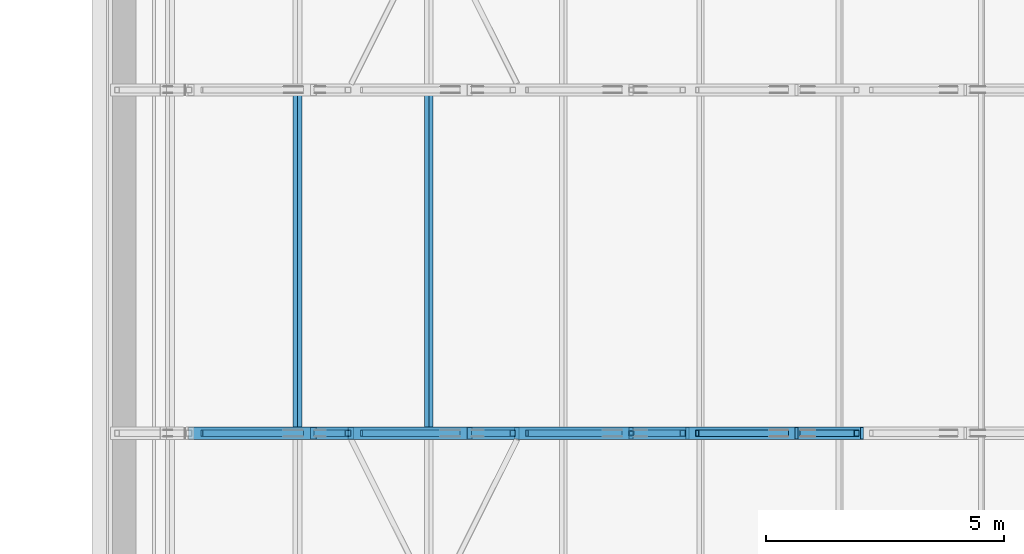
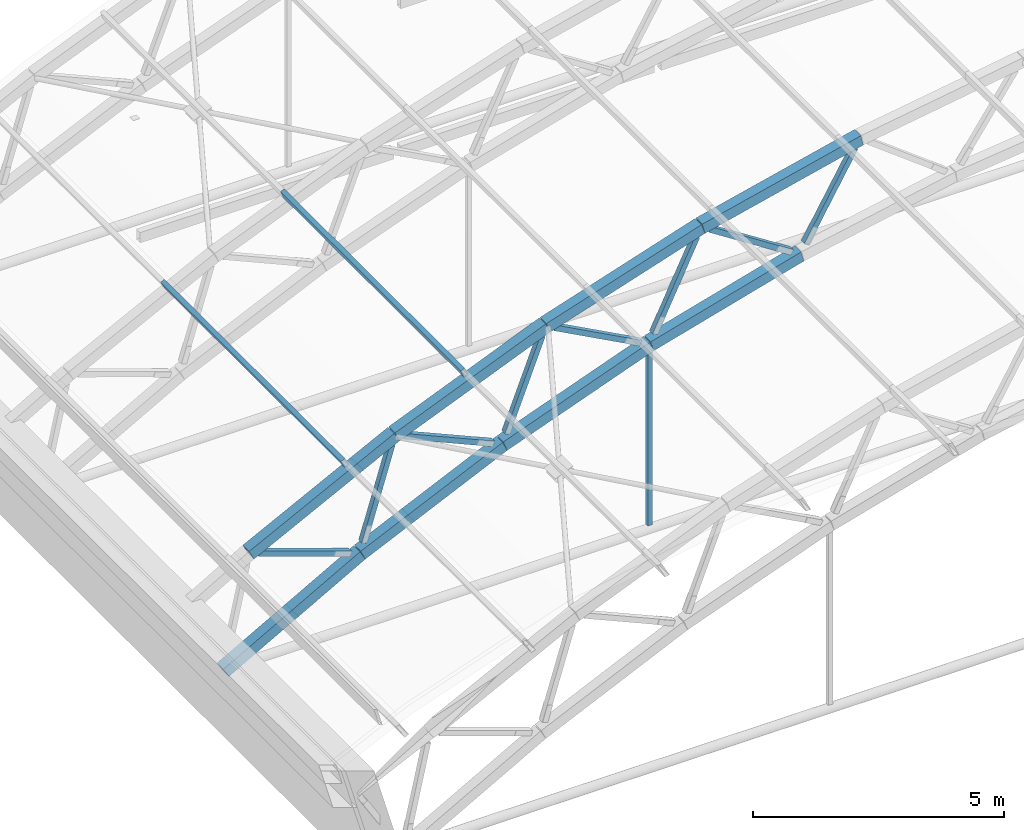
# One storey, part 42 of 127: 19 members.
"""IFC4 building model written with IfcOpenShell, lengths in metres."""

import ifcopenshell
import ifcopenshell.guid

model = None  # the IFC model being written
_history = None  # IfcOwnerHistory: only IFC2X3 demands one
_inside = {}  # id of a spatial element -> (the spatial element, [elements in it])
_under = {}  # id of a project, library or spatial element -> (it, [spatial elements below it])
_declared = {}  # id of a project -> (the project, [libraries it declares])
_typed = {}  # id of a type object -> (the type object, [elements of that type])
_made_of = {}  # id of a material, layer set ... -> (it, [elements and type objects made of it])


def new_model(schema):
    """Start an empty IFC model of exactly this schema.

    Asked for "IFC4X3", IfcOpenShell would pick the latest addendum, in which some entities
    have other attributes; the version numbers below select the first issue.
    IFC2X3 requires an IfcOwnerHistory on every rooted entity: one is made here for all.
    """
    global model, _history
    if schema == "IFC4X3":
        model = ifcopenshell.file(schema_version=(4, 3, 0, 0))
    else:
        model = ifcopenshell.file(schema=schema)
    _inside.clear()
    _under.clear()
    _declared.clear()
    _typed.clear()
    _made_of.clear()
    _history = None
    if model.schema == "IFC2X3":
        org = make("IfcOrganization", Name="unknown")
        user = make(
            "IfcPersonAndOrganization",
            ThePerson=make("IfcPerson", FamilyName="unknown"),
            TheOrganization=org,
        )
        app = make(
            "IfcApplication",
            ApplicationDeveloper=org,
            Version="unknown",
            ApplicationFullName="unknown",
            ApplicationIdentifier="unknown",
        )
        _history = make(
            "IfcOwnerHistory",
            OwningUser=user,
            OwningApplication=app,
            ChangeAction="ADDED",
            CreationDate=0,
        )
    return model


def make(cls, **values):
    """One entity of the class cls with the attributes given. An attribute that is None is left unset."""
    return model.create_entity(
        cls, **{name: value for name, value in values.items() if value is not None}
    )


def rooted(cls, **values):
    """An entity with a GlobalId (a new one), such as an element, a storey or a relation."""
    return make(cls, GlobalId=ifcopenshell.guid.new(), OwnerHistory=_history, **values)


def si_unit(unit_type, name, prefix=None):
    """IfcSIUnit, for example si_unit("LENGTHUNIT", "METRE", prefix="MILLI")."""
    return make("IfcSIUnit", UnitType=unit_type, Prefix=prefix, Name=name)


def assignment(units):
    """IfcUnitAssignment: the units of a project."""
    return None if units is None else make("IfcUnitAssignment", Units=units)


def point(xyz):
    """IfcCartesianPoint."""
    return None if xyz is None else make("IfcCartesianPoint", Coordinates=xyz)


def direction(xyz):
    """IfcDirection."""
    return None if xyz is None else make("IfcDirection", DirectionRatios=xyz)


def frame(location, z_axis=None, x_axis=None):
    """IfcAxis2Placement3D, a coordinate frame: its origin and axes. An axis left out is left unset."""
    return make(
        "IfcAxis2Placement3D",
        Location=point(location),
        Axis=direction(z_axis),
        RefDirection=direction(x_axis),
    )


def frame_2d(location, x_axis=None):
    """IfcAxis2Placement2D, a coordinate frame in the plane: its origin and x axis."""
    return make(
        "IfcAxis2Placement2D", Location=point(location), RefDirection=direction(x_axis)
    )


def origin():
    """The frame at (0, 0, 0) with its axes left unset."""
    return frame((0.0, 0.0, 0.0))


def origin_2d():
    """The frame at (0, 0) in the plane with its x axis left unset."""
    return frame_2d((0.0, 0.0))


def place(relative_to, where):
    """IfcLocalPlacement: puts the frame where relative to a parent placement (None: the world)."""
    return make(
        "IfcLocalPlacement", PlacementRelTo=relative_to, RelativePlacement=where
    )


def context(
    kind, dimensions, precision=None, world=None, true_north=None, identifier=None
):
    """IfcGeometricRepresentationContext, for example the 3D "Model" context."""
    return make(
        "IfcGeometricRepresentationContext",
        ContextIdentifier=identifier,
        ContextType=kind,
        CoordinateSpaceDimension=dimensions,
        Precision=precision,
        WorldCoordinateSystem=world,
        TrueNorth=true_north,
    )


def subcontext(parent, identifier, kind, view, scale=None):
    """IfcGeometricRepresentationSubContext, for example "Body" below "Model"."""
    return make(
        "IfcGeometricRepresentationSubContext",
        ContextIdentifier=identifier,
        ContextType=kind,
        ParentContext=parent,
        TargetScale=scale,
        TargetView=view,
    )


def project(units=None, contexts=None):
    """IfcProject with its units and contexts."""
    return rooted(
        "IfcProject",
        Name="project",
        RepresentationContexts=contexts,
        UnitsInContext=assignment(units),
    )


def spatial(cls, under=None, at=None, **own):
    """A site, building, storey or space (cls), placed at a placement, below another one or the project."""
    s = rooted(cls, ObjectPlacement=at, **own)
    if under is not None:
        _under.setdefault(under.id(), (under, []))[1].append(s)
    return s


def profile(cls, at=None, kind="AREA", **sizes):
    """A parametric profile (cls). Its sizes go by their IFC names, for example OverallWidth=200.0."""
    return make(cls, ProfileType=kind, Position=at, **sizes)


def hollow_rectangle(**sizes):
    """IfcRectangleHollowProfileDef."""
    return profile("IfcRectangleHollowProfileDef", **sizes)


def extrude(swept, where, along, depth):
    """IfcExtrudedAreaSolid: the profile swept, set in the frame where, extruded along a direction by depth."""
    return make(
        "IfcExtrudedAreaSolid",
        SweptArea=swept,
        Position=where,
        ExtrudedDirection=direction(along),
        Depth=depth,
    )


def shape(context_of_items, identifier, shape_type, items):
    """IfcShapeRepresentation: the items that make up one representation, for example the "Body"."""
    return make(
        "IfcShapeRepresentation",
        ContextOfItems=context_of_items,
        RepresentationIdentifier=identifier,
        RepresentationType=shape_type,
        Items=items,
    )


def material(Name=None, Category=None):
    """IfcMaterial."""
    return make("IfcMaterial", Name=Name, Category=Category)


def material_profile(
    of_material, cross_section, Name=None, Category=None, Priority=None
):
    """IfcMaterialProfile: a cross section and its material."""
    return make(
        "IfcMaterialProfile",
        Name=Name,
        Material=of_material,
        Profile=cross_section,
        Priority=Priority,
        Category=Category,
    )


def profile_set(profiles, Name=None, composite=None):
    """IfcMaterialProfileSet."""
    return make(
        "IfcMaterialProfileSet",
        Name=Name,
        MaterialProfiles=profiles,
        CompositeProfile=composite,
    )


def made_of(thing, what):
    """Note that an element or type object is made of a material, layer set ...; save() writes the relation."""
    if what is not None:
        _made_of.setdefault(what.id(), (what, []))[1].append(thing)
    return thing


def type_object(cls, material=None, **own):
    """A type object (cls), such as IfcWallType, which elements share."""
    return made_of(rooted(cls, **own), material)


def element(
    cls,
    number,
    at=None,
    inside=None,
    cuts=None,
    type_object=None,
    material=None,
    context=None,
    identifier="Body",
    shape_type=None,
    held_by="IfcProductDefinitionShape",
    body=None,
    shapes=None,
    **own,
):
    """One element of the class cls, such as IfcWall. Its Tag is "e" and its number.

    at: its placement. inside: the storey or other place that contains it. cuts: it is an
    opening in that element (IfcRelVoidsElement). A single representation is given by context,
    identifier, shape_type and body (its items); several are given by shapes. held_by: the class
    of the entity that holds the representations. save() writes the other relations.
    """
    e = rooted(cls, Tag="e%d" % number, ObjectPlacement=at, **own)
    if body is not None:
        shapes = [shape(context, identifier, shape_type, body)]
    if shapes is not None:
        e.Representation = make(held_by, Representations=shapes)
    if inside is not None:
        _inside.setdefault(inside.id(), (inside, []))[1].append(e)
    if cuts is not None:
        rooted(
            "IfcRelVoidsElement", RelatingBuildingElement=cuts, RelatedOpeningElement=e
        )
    if type_object is not None:
        _typed.setdefault(type_object.id(), (type_object, []))[1].append(e)
    return made_of(e, material)


def aggregate(whole, parts):
    """IfcRelAggregates: a whole, such as a stair, and the parts it consists of."""
    return rooted("IfcRelAggregates", RelatingObject=whole, RelatedObjects=parts)


def save(model, path):
    """Write the relations noted so far, then the file.

    IfcRelAggregates (storeys below a building ...), IfcRelContainedInSpatialStructure (elements
    in a storey), IfcRelDefinesByType, IfcRelAssociatesMaterial and IfcRelDeclares: one each for
    every whole, place, type object, material and project.
    """
    for whole, parts in _under.values():
        aggregate(whole, parts)
    for where, things in _inside.values():
        rooted(
            "IfcRelContainedInSpatialStructure",
            RelatedElements=things,
            RelatingStructure=where,
        )
    for kind, things in _typed.values():
        rooted("IfcRelDefinesByType", RelatedObjects=things, RelatingType=kind)
    for what, things in _made_of.values():
        rooted("IfcRelAssociatesMaterial", RelatedObjects=things, RelatingMaterial=what)
    for by, libraries in _declared.values():
        rooted("IfcRelDeclares", RelatingContext=by, RelatedDefinitions=libraries)
    model.write(path)


model = new_model("IFC4")

# Units and contexts
model_context = context("Model", 3, precision=1e-05, world=origin(), true_north=direction((0.0, 1.0)))
body_context = subcontext(model_context, "Body", "Model", "MODEL_VIEW")
ifc_project = project(units=[si_unit("LENGTHUNIT", "METRE"), si_unit("AREAUNIT", "SQUARE_METRE"), si_unit("VOLUMEUNIT", "CUBIC_METRE"), si_unit("PLANEANGLEUNIT", "RADIAN"), si_unit("MASSUNIT", "GRAM", prefix="KILO")], contexts=[model_context])

# Site, building, storey
site_placement = place(None, origin())
site = spatial("IfcSite", under=ifc_project, at=site_placement, CompositionType="ELEMENT")
building_placement = place(site_placement, origin())
building = spatial("IfcBuilding", under=site, at=building_placement, Name="Verrick Yard Athletic Hall", CompositionType="ELEMENT")
storey_placement = place(building_placement, frame((0.0, 0.0, 14.0)))
storey = spatial("IfcBuildingStorey", under=building, at=storey_placement, Name="L03", CompositionType="ELEMENT", Elevation=14.0)

# Members
ifc_material = material(Name="Structural steel HSS Class C 350W (CSA G40.20/G40.21)", Category="steel")
ifc_material_profile_1 = material_profile(ifc_material, hollow_rectangle(XDim=0.25390625, YDim=0.25390625, WallThickness=0.009521484375, at=origin_2d()), Name="HSS254x254x9.5")
ifc_profile_set_1 = profile_set([ifc_material_profile_1], Name="Structural steel HSS Class C 350W (CSA G40.20/G40.21)")
member_type_1 = type_object("IfcMemberType", Name="HB bottom chord HSS254x254x9.5", PredefinedType="CHORD", material=ifc_profile_set_1)
member_1_placement = place(storey_placement, frame((121.60009765625, 93.60009765625, 0.0), z_axis=(0.872881488331, 0.0, 0.4879322774), x_axis=(0.0, 1.0, 0.0)))
element("IfcMember", 1, at=member_1_placement, inside=storey, type_object=member_type_1, Name="Truss TA4 bottom chord 1", PredefinedType="CHORD", context=body_context, shape_type="SweptSolid", body=[
    extrude(hollow_rectangle(XDim=0.25390625, YDim=0.25390625, WallThickness=0.009521484375, at=origin_2d()), origin(), (0.0, 0.0, 1.0), 3.60107421875),
])
member_2_placement = place(storey_placement, frame((124.752197265625, 93.60009765625, 1.761474609375), z_axis=(0.908445597889, 0.0, 0.418003104865), x_axis=(0.0, 1.0, 0.0)))
element("IfcMember", 2, at=member_2_placement, inside=storey, type_object=member_type_1, Name="Truss TA4 bottom chord 2", PredefinedType="CHORD", context=body_context, shape_type="SweptSolid", body=[
    extrude(hollow_rectangle(XDim=0.25390625, YDim=0.25390625, WallThickness=0.009521484375, at=origin_2d()), origin(), (0.0, 0.0, 1.0), 3.59619140625),
])
for number, where, z_axis, x_axis, name in (
    (3, (128.0283203125, 93.60009765625, 3.2685546875), (0.938394107905, 0.0, 0.345566922966), (0.0, 1.0, 0.0), "Truss TA4 bottom chord 3"),
    (4, (131.412353515625, 93.60009765625, 4.514404296875), (0.962572378456, 0.0, 0.271024752066), (0.0, 1.0, 0.0), "Truss TA4 bottom chord 4"),
):
    element("IfcMember", number, at=place(storey_placement, frame(where, z_axis=z_axis, x_axis=x_axis)), inside=storey, type_object=member_type_1, Name=name, PredefinedType="CHORD", context=body_context, shape_type="SweptSolid", body=[
        extrude(hollow_rectangle(XDim=0.25390625, YDim=0.25390625, WallThickness=0.009521484375, at=origin_2d()), origin(), (0.0, 0.0, 1.0), 3.595947265625),
    ])
ifc_material_profile_2 = material_profile(ifc_material, hollow_rectangle(XDim=0.1015625, YDim=0.203125, WallThickness=0.009521484375, at=origin_2d()), Name="HSS203x102x9.5")
ifc_profile_set_2 = profile_set([ifc_material_profile_2], Name="Structural steel HSS Class C 350W (CSA G40.20/G40.21)")
member_type_2 = type_object("IfcMemberType", Name="HB purlin HSS203x102x9.5", PredefinedType="PURLIN", material=ifc_profile_set_2)
for number, where, z_axis, x_axis, name in (
    (5, (124.410888671875, 93.60009765625, 4.046875), (0.0, 1.0, 0.0), (-0.891352741199, 0.0, -0.453310369126), "HB-PU-A-4-2"),
    (6, (127.162109375, 93.60009765625, 5.2822265625), (0.0, 1.0, 0.0), (-0.924122791552, 0.0, -0.382095624331), "HB-PU-A-4-3"),
):
    element("IfcMember", number, at=place(storey_placement, frame(where, z_axis=z_axis, x_axis=x_axis)), inside=storey, type_object=member_type_2, Name=name, PredefinedType="PURLIN", context=body_context, shape_type="SweptSolid", body=[
        extrude(hollow_rectangle(XDim=0.1015625, YDim=0.203125, WallThickness=0.009521484375, at=origin_2d()), origin(), (0.0, 0.0, 1.0), 7.199951171875),
    ])
ifc_material_profile_3 = material_profile(ifc_material, hollow_rectangle(XDim=0.25390625, YDim=0.25390625, WallThickness=0.009521484375, at=origin_2d()), Name="HSS254x254x9.5")
ifc_profile_set_3 = profile_set([ifc_material_profile_3], Name="Structural steel HSS Class C 350W (CSA G40.20/G40.21)")
member_type_3 = type_object("IfcMemberType", Name="HB top chord HSS254x254x9.5", PredefinedType="CHORD", material=ifc_profile_set_3)
member_3_placement = place(storey_placement, frame((122.18408203125, 93.60009765625, 2.657958984375), z_axis=(0.891336584454, 0.0, 0.453342137037), x_axis=(0.0, 1.0, 0.0)))
element("IfcMember", 7, at=member_3_placement, inside=storey, type_object=member_type_3, Name="Truss TA4 top chord 2", PredefinedType="CHORD", context=body_context, shape_type="SweptSolid", body=[
    extrude(hollow_rectangle(XDim=0.25390625, YDim=0.25390625, WallThickness=0.009521484375, at=origin_2d()), origin(), (0.0, 0.0, 1.0), 3.754150390625),
])
member_4_placement = place(storey_placement, frame((125.53955078125, 93.60009765625, 4.364013671875), z_axis=(0.924130129149, 0.0, 0.382077877402), x_axis=(0.0, 1.0, 0.0)))
element("IfcMember", 8, at=member_4_placement, inside=storey, type_object=member_type_3, Name="Truss TA4 top chord 3", PredefinedType="CHORD", context=body_context, shape_type="SweptSolid", body=[
    extrude(hollow_rectangle(XDim=0.25390625, YDim=0.25390625, WallThickness=0.009521484375, at=origin_2d()), origin(), (0.0, 0.0, 1.0), 3.752685546875),
])
for number, where, z_axis, x_axis, name in (
    (9, (129.016845703125, 93.60009765625, 5.80126953125), (0.951208887206, 0.0, 0.308547650938), (0.0, 1.0, 0.0), "Truss TA4 top chord 4"),
    (10, (132.59619140625, 93.60009765625, 6.9619140625), (0.972457525524, 0.0, 0.233080160141), (0.0, 1.0, 0.0), "Truss TA4 top chord 5"),
):
    element("IfcMember", number, at=place(storey_placement, frame(where, z_axis=z_axis, x_axis=x_axis)), inside=storey, type_object=member_type_3, Name=name, PredefinedType="CHORD", context=body_context, shape_type="SweptSolid", body=[
        extrude(hollow_rectangle(XDim=0.25390625, YDim=0.25390625, WallThickness=0.009521484375, at=origin_2d()), origin(), (0.0, 0.0, 1.0), 3.7529296875),
    ])
ifc_material_profile_4 = material_profile(ifc_material, hollow_rectangle(XDim=0.1015625, YDim=0.1015625, WallThickness=0.00634765625, at=origin_2d()), Name="HSS102x102x6.4")
ifc_profile_set_4 = profile_set([ifc_material_profile_4], Name="Structural steel HSS Class C 350W (CSA G40.20/G40.21)")
member_type_4 = type_object("IfcMemberType", Name="HB truss hanger HSS102x102x6.4", PredefinedType="MEMBER", material=ifc_profile_set_4)
member_5_placement = place(storey_placement, frame((131.407470703125, 93.60009765625, 4.35888671875), z_axis=(0.0, 0.0, -1.0), x_axis=(0.0, -1.0, 0.0)))
element("IfcMember", 11, at=member_5_placement, inside=storey, type_object=member_type_4, Name="Truss TA4 hanger 1", PredefinedType="MEMBER", context=body_context, shape_type="SweptSolid", body=[
    extrude(hollow_rectangle(XDim=0.1015625, YDim=0.1015625, WallThickness=0.00634765625, at=origin_2d()), origin(), (0.0, 0.0, 1.0), 4.249267578125),
])
ifc_material_profile_5 = material_profile(ifc_material, hollow_rectangle(XDim=0.126953125, YDim=0.126953125, WallThickness=0.009521484375, at=origin_2d()), Name="HSS127x127x9.5")
ifc_profile_set_5 = profile_set([ifc_material_profile_5], Name="Structural steel HSS Class C 350W (CSA G40.20/G40.21)")
member_type_5 = type_object("IfcMemberType", Name="HB truss web HSS127x127x9.5", PredefinedType="BRACE", material=ifc_profile_set_5)
for number, where, z_axis, x_axis, name in (
    (12, (122.404296875, 93.60009765625, 2.578369140625), (0.944026930686, 0.0, -0.329868389118), (0.0, 1.0, 0.0), "Truss TA4 web 2"),
    (13, (124.81982421875, 93.60009765625, 1.99755859375), (0.289443070658, 0.0, 0.957195230268), (0.0, 1.0, 0.0), "Truss TA4 web 3"),
    (14, (125.75146484375, 93.60009765625, 4.2666015625), (0.915297302882, 0.0, -0.402778906272), (0.0, 1.0, 0.0), "Truss TA4 web 4"),
    (15, (128.114013671875, 93.60009765625, 3.49853515625), (0.363537858519, 0.0, 0.931579425183), (0.0, 1.0, 0.0), "Truss TA4 web 5"),
    (16, (129.220703125, 93.60009765625, 5.687744140625), (0.880926928438, 0.0, -0.473252307709), (0.0, 1.0, 0.0), "Truss TA4 web 6"),
    (17, (131.515869140625, 93.60009765625, 4.73681640625), (0.435369492886, 0.0, 0.900251856241), (0.0, 1.0, 0.0), "Truss TA4 web 7"),
    (18, (132.79052734375, 93.60009765625, 6.832763671875), (0.841150064875, 0.0, -0.540801782875), (0.0, 1.0, 0.0), "Truss TA4 web 8"),
    (19, (135.004150390625, 93.60009765625, 5.705078125), (0.504543682156, 0.0, 0.86338616667), (0.0, 1.0, 0.0), "Truss TA4 web 9"),
):
    element("IfcMember", number, at=place(storey_placement, frame(where, z_axis=z_axis, x_axis=x_axis)), inside=storey, type_object=member_type_5, Name=name, PredefinedType="BRACE", context=body_context, shape_type="SweptSolid", body=[
        extrude(hollow_rectangle(XDim=0.126953125, YDim=0.126953125, WallThickness=0.009521484375, at=origin_2d()), origin(), (0.0, 0.0, 1.0), 2.233642578125),
    ])

save(model, "model.ifc")
